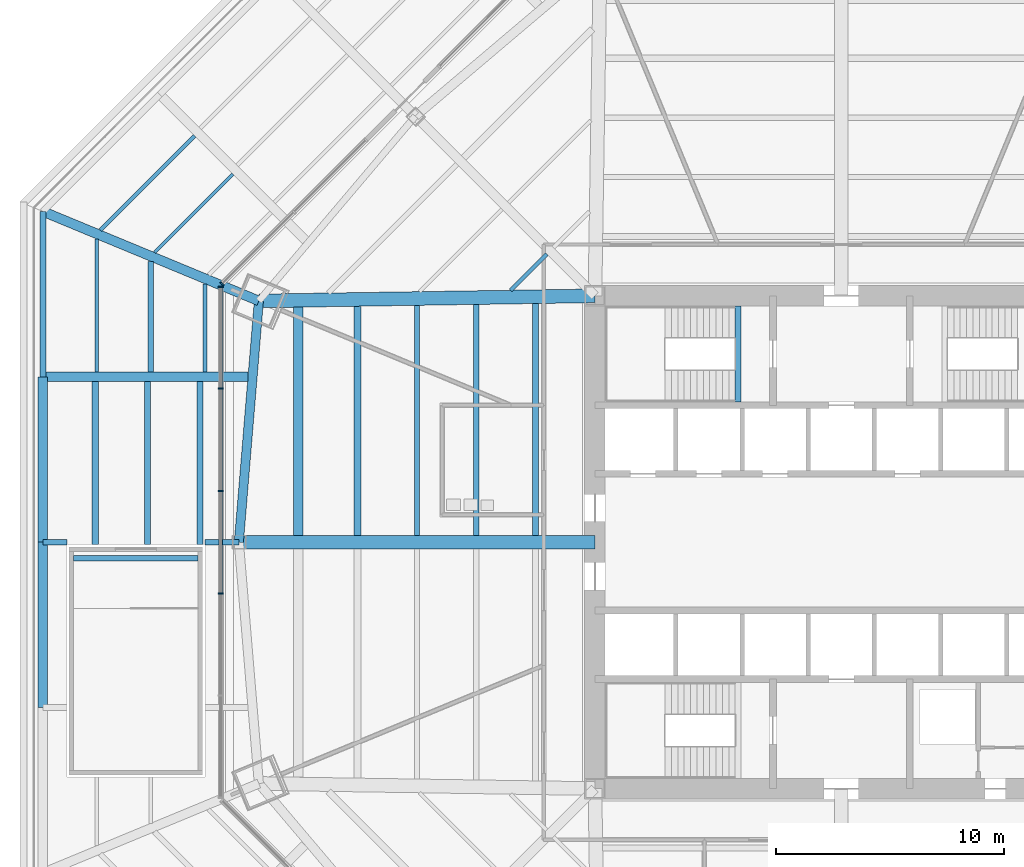
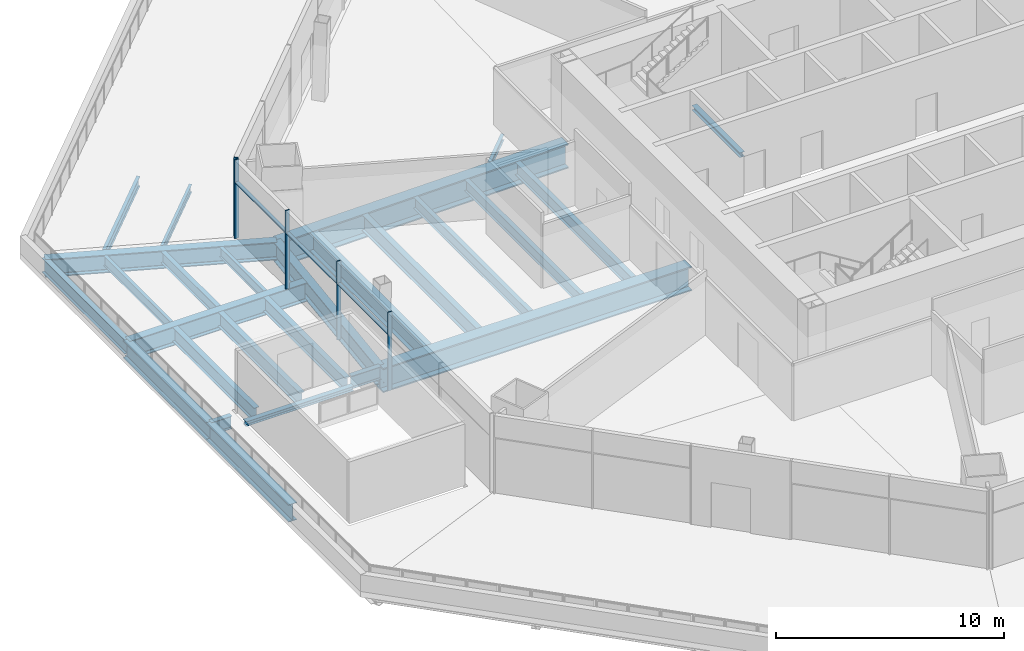
# One storey, part 7 of 25: 24 beams, 10 members, 2 elements without a shape of their own.
"""IFC4 building model written with IfcOpenShell, lengths in metres."""

from ifc_helpers import new_model, si_unit, direction, frame, origin, origin_2d, place, context, subcontext, project, spatial, rectangle, i_section, extrude, source, transform, mapped, material, material_profile, profile_set, type_object, type_shapes, element, aggregate, save


model = new_model("IFC4")

# Units and contexts
model_context = context("Model", 3, precision=1e-05, world=origin(), true_north=direction((0.0, 1.0)))
body_context = subcontext(model_context, "Body", "Model", "MODEL_VIEW")
ifc_project = project(units=[si_unit("LENGTHUNIT", "METRE"), si_unit("AREAUNIT", "SQUARE_METRE"), si_unit("VOLUMEUNIT", "CUBIC_METRE"), si_unit("PLANEANGLEUNIT", "RADIAN"), si_unit("MASSUNIT", "GRAM", prefix="KILO")], contexts=[model_context])

# Site, building, storey
site_placement = place(None, origin())
site = spatial("IfcSite", under=ifc_project, at=site_placement, CompositionType="ELEMENT")
building_placement = place(site_placement, origin())
building = spatial("IfcBuilding", under=site, at=building_placement, Name="Mashrafa Tower", CompositionType="ELEMENT")
storey_placement = place(building_placement, frame((0.0, 0.0, 28.800048828125)))
storey = spatial("IfcBuildingStorey", under=building, at=storey_placement, Name="L05", CompositionType="ELEMENT", Elevation=28.800048828125)

# Beams
ifc_material_1 = material(Name="Steel ASTM A572 Gr 50", Category="steel")
ifc_material_profile_1 = material_profile(ifc_material_1, i_section(OverallWidth=0.60009765625, OverallDepth=1.300048828125, WebThickness=0.028076171875, FlangeThickness=0.06494140625, at=origin_2d()), Name="H1300X600X28X65")
ifc_profile_set_1 = profile_set([ifc_material_profile_1], Name="Steel ASTM A572 Gr 50")
beam_type_1 = type_object("IfcBeamType", Name="Beam H1300X600X28X65", PredefinedType="BEAM", material=ifc_profile_set_1)
beam_1_placement = place(storey_placement, frame((-10.800048828125, 0.0, -0.949951171875), z_axis=(-1.0, 0.0, 0.0), x_axis=(0.0, -1.0, 0.0)))
element("IfcBeam", 1, at=beam_1_placement, inside=storey, type_object=beam_type_1, Name="Radial girder L05 236", PredefinedType="BEAM", context=body_context, shape_type="SweptSolid", body=[
    extrude(i_section(OverallWidth=0.60009765625, OverallDepth=1.300048828125, WebThickness=0.028076171875, FlangeThickness=0.06494140625, at=origin_2d()), origin(), (0.0, 0.0, 1.0), 15.6083984375),
])
beam_2_placement = place(storey_placement, frame((-10.800048828125, 10.800048828125, -0.949951171875), z_axis=(-0.99988326068, -0.015279561885, 0.0), x_axis=(0.015279561885, -0.99988326068, 0.0)))
element("IfcBeam", 2, at=beam_2_placement, inside=storey, type_object=beam_type_1, Name="Radial girder L05 237", PredefinedType="BEAM", context=body_context, shape_type="SweptSolid", body=[
    extrude(i_section(OverallWidth=0.60009765625, OverallDepth=1.300048828125, WebThickness=0.028076171875, FlangeThickness=0.06494140625, at=origin_2d()), origin(), (0.0, 0.0, 1.0), 14.73193359375),
])
ifc_material_2 = material(Name="Steel ASTM A992", Category="steel")
ifc_material_profile_2 = material_profile(ifc_material_2, i_section(OverallWidth=0.164794921875, OverallDepth=0.309814453125, WebThickness=0.005859375, FlangeThickness=0.009765625, FilletRadius=0.007568359375, at=origin_2d()), Name="W12X26")
ifc_profile_set_2 = profile_set([ifc_material_profile_2], Name="Steel ASTM A992")
beam_type_2 = type_object("IfcBeamType", Name="Beam W12X26", PredefinedType="BEAM", material=ifc_profile_set_2)
beam_3_placement = place(storey_placement, frame((-14.4931640625, 11.043701171875, -0.455078125), z_axis=(0.707106781187, 0.707106781187, 0.0), x_axis=(-0.707106781187, 0.707106781187, 0.0)))
element("IfcBeam", 3, at=beam_3_placement, inside=storey, type_object=beam_type_2, Name="Floor beam L05 040", PredefinedType="BEAM", context=body_context, shape_type="SweptSolid", body=[
    extrude(i_section(OverallWidth=0.164794921875, OverallDepth=0.309814453125, WebThickness=0.005859375, FlangeThickness=0.009765625, FilletRadius=0.007568359375, at=origin_2d()), origin(), (0.0, 0.0, 1.0), 2.234619140625),
])
ifc_material_3 = material(Name="Steel ASTM A992", Category="steel")
ifc_material_profile_3 = material_profile(ifc_material_3, i_section(OverallWidth=0.140380859375, OverallDepth=0.40380859375, WebThickness=0.007080078125, FlangeThickness=0.01123046875, FilletRadius=0.01025390625, at=origin_2d()), Name="W16X31")
ifc_profile_set_3 = profile_set([ifc_material_profile_3], Name="Steel ASTM A992")
beam_type_3 = type_object("IfcBeamType", Name="Beam W16X31", PredefinedType="BEAM", material=ifc_profile_set_3)
beam_4_placement = place(storey_placement, frame((-30.102783203125, 12.698486328125, -0.501953125), z_axis=(0.707106781187, 0.707106781187, 0.0), x_axis=(-0.707106781187, 0.707106781187, 0.0)))
element("IfcBeam", 4, at=beam_4_placement, inside=storey, type_object=beam_type_3, Name="Floor beam L05 008", PredefinedType="BEAM", context=body_context, shape_type="SweptSolid", body=[
    extrude(i_section(OverallWidth=0.140380859375, OverallDepth=0.40380859375, WebThickness=0.007080078125, FlangeThickness=0.01123046875, FilletRadius=0.01025390625, at=origin_2d()), origin(), (0.0, 0.0, 1.0), 4.857177734375),
])
ifc_material_4 = material(Name="Steel ASTM A992", Category="steel")
ifc_material_profile_4 = material_profile(ifc_material_4, i_section(OverallWidth=0.1650390625, OverallDepth=0.52587890625, WebThickness=0.0087890625, FlangeThickness=0.011474609375, FilletRadius=0.0126953125, at=origin_2d()), Name="W21X44")
ifc_profile_set_4 = profile_set([ifc_material_profile_4], Name="Steel ASTM A992")
beam_type_4 = type_object("IfcBeamType", Name="Beam W21X44", PredefinedType="BEAM", material=ifc_profile_set_4)
for number, where, z_axis, x_axis, name in (
    (5, (-32.632568359375, 7.449462890625, -0.56298828125), (0.0, 1.0, 0.0), (-1.0, 0.0, 0.0), "Floor beam L05 003"),
    (6, (-32.47021484375, 13.67919921875, -0.56298828125), (0.707106781187, 0.707106781187, 0.0), (-0.707106781187, 0.707106781187, 0.0), "Floor beam L05 004"),
):
    element("IfcBeam", number, at=place(storey_placement, frame(where, z_axis=z_axis, x_axis=x_axis)), inside=storey, type_object=beam_type_4, Name=name, PredefinedType="BEAM", context=body_context, shape_type="SweptSolid", body=[
        extrude(i_section(OverallWidth=0.1650390625, OverallDepth=0.52587890625, WebThickness=0.0087890625, FlangeThickness=0.011474609375, FilletRadius=0.0126953125, at=origin_2d()), origin(), (0.0, 0.0, 1.0), 5.837890625),
    ])
ifc_material_5 = material(Name="Steel ASTM A992", Category="steel")
ifc_material_profile_5 = material_profile(ifc_material_5, i_section(OverallWidth=0.165771484375, OverallDepth=0.5283203125, WebThickness=0.009765625, FlangeThickness=0.013671875, FilletRadius=0.012939453125, at=origin_2d()), Name="W21X50")
ifc_profile_set_5 = profile_set([ifc_material_profile_5], Name="Steel ASTM A992")
beam_type_5 = type_object("IfcBeamType", Name="Beam W21X50", PredefinedType="BEAM", material=ifc_profile_set_5)
beam_5_placement = place(storey_placement, frame((-27.897705078125, 7.449462890625, -0.564208984375), z_axis=(0.0, 1.0, 0.0), x_axis=(-1.0, 0.0, 0.0)))
element("IfcBeam", 7, at=beam_5_placement, inside=storey, type_object=beam_type_5, Name="Floor beam L05 012", PredefinedType="BEAM", context=body_context, shape_type="SweptSolid", body=[
    extrude(i_section(OverallWidth=0.165771484375, OverallDepth=0.5283203125, WebThickness=0.009765625, FlangeThickness=0.013671875, FilletRadius=0.012939453125, at=origin_2d()), origin(), (0.0, 0.0, 1.0), 3.87646484375),
])
ifc_material_6 = material(Name="Steel ASTM A992", Category="steel")
ifc_material_profile_6 = material_profile(ifc_material_6, i_section(OverallWidth=0.227783203125, OverallDepth=0.60205078125, WebThickness=0.010498046875, FlangeThickness=0.014892578125, FilletRadius=0.012939453125, at=origin_2d()), Name="W24X68")
ifc_profile_set_6 = profile_set([ifc_material_profile_6], Name="Steel ASTM A992")
beam_type_6 = type_object("IfcBeamType", Name="Beam W24X68", PredefinedType="BEAM", material=ifc_profile_set_6)
beam_6_placement = place(storey_placement, frame((-30.26513671875, 7.449462890625, -0.60107421875), z_axis=(0.0, 1.0, 0.0), x_axis=(-1.0, 0.0, 0.0)))
element("IfcBeam", 8, at=beam_6_placement, inside=storey, type_object=beam_type_6, Name="Floor beam L05 007", PredefinedType="BEAM", context=body_context, shape_type="SweptSolid", body=[
    extrude(i_section(OverallWidth=0.227783203125, OverallDepth=0.60205078125, WebThickness=0.010498046875, FlangeThickness=0.014892578125, FilletRadius=0.012939453125, at=origin_2d()), origin(), (0.0, 0.0, 1.0), 4.857177734375),
])
beam_7_placement = place(storey_placement, frame((-18.604248046875, 0.300048828125, -0.60107421875), z_axis=(0.0, 1.0, 0.0), x_axis=(-1.0, 0.0, 0.0)))
element("IfcBeam", 9, at=beam_7_placement, inside=storey, type_object=beam_type_6, Name="Floor beam L05 031", PredefinedType="BEAM", context=body_context, shape_type="SweptSolid", body=[
    extrude(i_section(OverallWidth=0.227783203125, OverallDepth=0.60205078125, WebThickness=0.010498046875, FlangeThickness=0.014892578125, FilletRadius=0.012939453125, at=origin_2d()), origin(), (0.0, 0.0, 1.0), 10.080810546875),
])
beam_8_placement = place(storey_placement, frame((-16.002685546875, 0.300048828125, -0.60107421875), z_axis=(0.0, 1.0, 0.0), x_axis=(-1.0, 0.0, 0.0)))
element("IfcBeam", 10, at=beam_8_placement, inside=storey, type_object=beam_type_6, Name="Floor beam L05 039", PredefinedType="BEAM", context=body_context, shape_type="SweptSolid", body=[
    extrude(i_section(OverallWidth=0.227783203125, OverallDepth=0.60205078125, WebThickness=0.010498046875, FlangeThickness=0.014892578125, FilletRadius=0.012939453125, at=origin_2d()), origin(), (0.0, 0.0, 1.0), 10.120361328125),
])
ifc_material_7 = material(Name="Steel ASTM A992", Category="steel")
ifc_material_profile_7 = material_profile(ifc_material_7, i_section(OverallWidth=0.25390625, OverallDepth=0.67822265625, WebThickness=0.01171875, FlangeThickness=0.016357421875, FilletRadius=0.01513671875, at=origin_2d()), Name="W27X84")
ifc_profile_set_7 = profile_set([ifc_material_profile_7], Name="Steel ASTM A992")
beam_type_7 = type_object("IfcBeamType", Name="Beam W27X84", PredefinedType="BEAM", material=ifc_profile_set_7)
beam_9_placement = place(storey_placement, frame((-13.4013671875, 0.300048828125, -0.63916015625), z_axis=(0.0, 1.0, 0.0), x_axis=(-1.0, 0.0, 0.0)))
element("IfcBeam", 11, at=beam_9_placement, inside=storey, type_object=beam_type_7, Name="Floor beam L05 048", PredefinedType="BEAM", context=body_context, shape_type="SweptSolid", body=[
    extrude(i_section(OverallWidth=0.25390625, OverallDepth=0.67822265625, WebThickness=0.01171875, FlangeThickness=0.016357421875, FilletRadius=0.01513671875, at=origin_2d()), origin(), (0.0, 0.0, 1.0), 10.16015625),
])
ifc_material_8 = material(Name="Steel ASTM A992", Category="steel")
ifc_material_profile_8 = material_profile(ifc_material_8, i_section(OverallWidth=0.2666015625, OverallDepth=0.761962890625, WebThickness=0.014404296875, FlangeThickness=0.021484375, FilletRadius=0.0166015625, at=origin_2d()), Name="W30X116")
ifc_profile_set_8 = profile_set([ifc_material_profile_8], Name="Steel ASTM A992")
beam_type_8 = type_object("IfcBeamType", Name="Beam W30X116", PredefinedType="BEAM", material=ifc_profile_set_8)
beam_10_placement = place(storey_placement, frame((-35.0, 14.49755859375, -0.68115234375), z_axis=(0.0, -1.0, 0.0), x_axis=(1.0, 0.0, 0.0)))
element("IfcBeam", 12, at=beam_10_placement, inside=storey, type_object=beam_type_8, Name="Podium edge beam L05 149", PredefinedType="BEAM", context=body_context, shape_type="SweptSolid", body=[
    extrude(i_section(OverallWidth=0.2666015625, OverallDepth=0.761962890625, WebThickness=0.014404296875, FlangeThickness=0.021484375, FilletRadius=0.0166015625, at=origin_2d()), origin(), (0.0, 0.0, 1.0), 7.248779296875),
])
ifc_material_9 = material(Name="Steel ASTM A992", Category="steel")
ifc_material_profile_9 = material_profile(ifc_material_9, i_section(OverallWidth=0.2666015625, OverallDepth=0.75439453125, WebThickness=0.01318359375, FlangeThickness=0.01708984375, FilletRadius=0.0166015625, at=origin_2d()), Name="W30X99")
ifc_profile_set_9 = profile_set([ifc_material_profile_9], Name="Steel ASTM A992")
beam_type_9 = type_object("IfcBeamType", Name="Beam W30X99", PredefinedType="BEAM", material=ifc_profile_set_9)
for number, where, z_axis, x_axis, name in (
    (13, (-32.70166015625, -0.10009765625, -0.67724609375), (0.0, 1.0, 0.0), (-1.0, 0.0, 0.0), "Floor beam L05 001"),
    (14, (-30.4033203125, -0.10009765625, -0.67724609375), (0.0, 1.0, 0.0), (-1.0, 0.0, 0.0), "Floor beam L05 005"),
    (15, (-28.10498046875, -0.10009765625, -0.67724609375), (0.0, 1.0, 0.0), (-1.0, 0.0, 0.0), "Floor beam L05 011"),
):
    element("IfcBeam", number, at=place(storey_placement, frame(where, z_axis=z_axis, x_axis=x_axis)), inside=storey, type_object=beam_type_9, Name=name, PredefinedType="BEAM", context=body_context, shape_type="SweptSolid", body=[
        extrude(i_section(OverallWidth=0.2666015625, OverallDepth=0.75439453125, WebThickness=0.01318359375, FlangeThickness=0.01708984375, FilletRadius=0.0166015625, at=origin_2d()), origin(), (0.0, 0.0, 1.0), 7.148193359375),
    ])
ifc_material_10 = material(Name="Steel ASTM A992", Category="steel")
ifc_material_profile_10 = material_profile(ifc_material_10, i_section(OverallWidth=0.2919921875, OverallDepth=0.845703125, WebThickness=0.015380859375, FlangeThickness=0.0244140625, FilletRadius=0.017333984375, at=origin_2d()), Name="W33X141")
ifc_profile_set_10 = profile_set([ifc_material_profile_10], Name="Steel ASTM A992")
beam_type_10 = type_object("IfcBeamType", Name="Beam W33X141", PredefinedType="BEAM", material=ifc_profile_set_10)
beam_11_placement = place(storey_placement, frame((-21.205810546875, 0.300048828125, -0.722900390625), z_axis=(0.0, 1.0, 0.0), x_axis=(-1.0, 0.0, 0.0)))
element("IfcBeam", 16, at=beam_11_placement, inside=storey, type_object=beam_type_10, Name="Floor beam L05 026", PredefinedType="BEAM", context=body_context, shape_type="SweptSolid", body=[
    extrude(i_section(OverallWidth=0.2919921875, OverallDepth=0.845703125, WebThickness=0.015380859375, FlangeThickness=0.0244140625, FilletRadius=0.017333984375, at=origin_2d()), origin(), (0.0, 0.0, 1.0), 10.041015625),
])
ifc_material_11 = material(Name="Steel ASTM A992", Category="steel")
ifc_material_profile_11 = material_profile(ifc_material_11, i_section(OverallWidth=0.419189453125, OverallDepth=0.927001953125, WebThickness=0.019287109375, FlangeThickness=0.031982421875, FilletRadius=0.020263671875, at=origin_2d()), Name="W36X231")
ifc_profile_set_11 = profile_set([ifc_material_profile_11], Name="Steel ASTM A992")
beam_type_11 = type_object("IfcBeamType", Name="Beam W36X231", PredefinedType="BEAM", material=ifc_profile_set_11)
for number, where, z_axis, x_axis, name in (
    (17, (-35.0, 0.0, -0.763671875), (0.0, -1.0, 0.0), (1.0, 0.0, 0.0), "Podium edge beam L05 147"),
    (18, (-35.0, 7.248779296875, -0.763671875), (0.0, -1.0, 0.0), (1.0, 0.0, 0.0), "Podium edge beam L05 148"),
):
    element("IfcBeam", number, at=place(storey_placement, frame(where, z_axis=z_axis, x_axis=x_axis)), inside=storey, type_object=beam_type_11, Name=name, PredefinedType="BEAM", context=body_context, shape_type="SweptSolid", body=[
        extrude(i_section(OverallWidth=0.419189453125, OverallDepth=0.927001953125, WebThickness=0.019287109375, FlangeThickness=0.031982421875, FilletRadius=0.020263671875, at=origin_2d()), origin(), (0.0, 0.0, 1.0), 7.248779296875),
    ])
ifc_material_12 = material(Name="Steel ASTM A992", Category="steel")
ifc_material_profile_12 = material_profile(ifc_material_12, i_section(OverallWidth=0.424072265625, OverallDepth=0.960205078125, WebThickness=0.028564453125, FlangeThickness=0.051025390625, FilletRadius=0.02001953125, at=origin_2d()), Name="W36X361")
ifc_profile_set_12 = profile_set([ifc_material_profile_12], Name="Steel ASTM A992")
beam_type_12 = type_object("IfcBeamType", Name="Beam W36X361", PredefinedType="BEAM", material=ifc_profile_set_12)
beam_12_placement = place(storey_placement, frame((-25.5302734375, 10.574951171875, -0.780029296875), z_axis=(-0.92387545374, 0.382693279242, 0.0), x_axis=(-0.382693279242, -0.92387545374, 0.0)))
element("IfcBeam", 19, at=beam_12_placement, inside=storey, type_object=beam_type_12, Name="Podium radial beam L05 183", PredefinedType="BEAM", context=body_context, shape_type="SweptSolid", body=[
    extrude(i_section(OverallWidth=0.424072265625, OverallDepth=0.960205078125, WebThickness=0.028564453125, FlangeThickness=0.051025390625, FilletRadius=0.02001953125, at=origin_2d()), origin(), (0.0, 0.0, 1.0), 10.25),
])
ifc_material_13 = material(Name="Steel ASTM A992", Category="steel")
ifc_material_profile_13 = material_profile(ifc_material_13, i_section(OverallWidth=0.4013671875, OverallDepth=0.98291015625, WebThickness=0.0166015625, FlangeThickness=0.027099609375, FilletRadius=0.0126953125, at=origin_2d()), Name="W40X199")
ifc_profile_set_13 = profile_set([ifc_material_profile_13], Name="Steel ASTM A992")
beam_type_13 = type_object("IfcBeamType", Name="Beam W40X199", PredefinedType="BEAM", material=ifc_profile_set_13)
beam_13_placement = place(storey_placement, frame((-23.80712890625, 0.300048828125, -0.79150390625), z_axis=(0.0, 1.0, 0.0), x_axis=(-1.0, 0.0, 0.0)))
element("IfcBeam", 20, at=beam_13_placement, inside=storey, type_object=beam_type_13, Name="Floor beam L05 019", PredefinedType="BEAM", context=body_context, shape_type="SweptSolid", body=[
    extrude(i_section(OverallWidth=0.4013671875, OverallDepth=0.98291015625, WebThickness=0.0166015625, FlangeThickness=0.027099609375, FilletRadius=0.0126953125, at=origin_2d()), origin(), (0.0, 0.0, 1.0), 10.001220703125),
])
ifc_material_14 = material(Name="Steel ASTM A992", Category="steel")
ifc_material_profile_14 = material_profile(ifc_material_14, i_section(OverallWidth=0.4013671875, OverallDepth=1.010986328125, WebThickness=0.023681640625, FlangeThickness=0.0419921875, FilletRadius=0.02001953125, at=origin_2d()), Name="W40X297")
ifc_profile_set_14 = profile_set([ifc_material_profile_14], Name="Steel ASTM A992")
beam_type_14 = type_object("IfcBeamType", Name="Beam W40X297", PredefinedType="BEAM", material=ifc_profile_set_14)
beam_14_placement = place(storey_placement, frame((-26.0078125, 7.248779296875, -0.805419921875), z_axis=(-1.0, 0.0, 0.0), x_axis=(0.0, -1.0, 0.0)))
element("IfcBeam", 21, at=beam_14_placement, inside=storey, type_object=beam_type_14, Name="Podium radial beam L05 181", PredefinedType="BEAM", context=body_context, shape_type="SweptSolid", body=[
    extrude(i_section(OverallWidth=0.4013671875, OverallDepth=1.010986328125, WebThickness=0.023681640625, FlangeThickness=0.0419921875, FilletRadius=0.02001953125, at=origin_2d()), origin(), (0.0, 0.0, 1.0), 8.9921875),
])
beam_15_placement = place(storey_placement, frame((-25.5302734375, 10.574951171875, -0.805419921875), z_axis=(-0.082757962037, -0.996569676299, 0.0), x_axis=(0.996569676299, -0.082757962037, 0.0)))
element("IfcBeam", 22, at=beam_15_placement, inside=storey, type_object=beam_type_14, Name="Podium ring girder L05 219", PredefinedType="BEAM", context=body_context, shape_type="SweptSolid", body=[
    extrude(i_section(OverallWidth=0.4013671875, OverallDepth=1.010986328125, WebThickness=0.023681640625, FlangeThickness=0.0419921875, FilletRadius=0.02001953125, at=origin_2d()), origin(), (0.0, 0.0, 1.0), 10.611328125),
])
ifc_material_15 = material(Name="Steel ASTM A992", Category="steel")
ifc_material_profile_15 = material_profile(ifc_material_15, i_section(OverallWidth=0.25390625, OverallDepth=0.25390625, WebThickness=0.008544921875, FlangeThickness=0.01416015625, FilletRadius=0.010009765625, at=origin_2d()), Name="W10X49")
ifc_profile_set_15 = profile_set([ifc_material_profile_15], Name="Steel ASTM A992")
beam_type_15 = type_object("IfcBeamType", Name="Hoistway beam W10X49", PredefinedType="BEAM", material=ifc_profile_set_15)
beam_16_placement = place(storey_placement, frame((-4.530029296875, 6.14990234375, -0.427001953125), z_axis=(0.0, 1.0, 0.0), x_axis=(-1.0, 0.0, 0.0)))
element("IfcBeam", 23, at=beam_16_placement, inside=storey, type_object=beam_type_15, Name="Stair S1 landing beam L05", PredefinedType="BEAM", context=body_context, shape_type="SweptSolid", body=[
    extrude(i_section(OverallWidth=0.25390625, OverallDepth=0.25390625, WebThickness=0.008544921875, FlangeThickness=0.01416015625, FilletRadius=0.010009765625, at=origin_2d()), origin(), (0.0, 0.0, 1.0), 4.2001953125),
])
beam_17_placement = place(storey_placement, frame((-33.64990234375, -0.699951171875, -0.427001953125), z_axis=(1.0, 0.0, 0.0), x_axis=(0.0, 1.0, 0.0)))
element("IfcBeam", 24, at=beam_17_placement, inside=storey, type_object=beam_type_15, Name="Stair P3 landing beam L05", PredefinedType="BEAM", context=body_context, shape_type="SweptSolid", body=[
    extrude(i_section(OverallWidth=0.25390625, OverallDepth=0.25390625, WebThickness=0.008544921875, FlangeThickness=0.01416015625, FilletRadius=0.010009765625, at=origin_2d()), origin(), (0.0, 0.0, 1.0), 5.449951171875),
])

# Members
ifc_material_16 = material(Name="Steel ASTM A992", Category="steel")
ifc_material_profile_16 = material_profile(ifc_material_16, i_section(OverallWidth=0.25390625, OverallDepth=0.683349609375, WebThickness=0.012451171875, FlangeThickness=0.01904296875, FilletRadius=0.01513671875, at=origin_2d()), Name="W27X94")
ifc_profile_set_16 = profile_set([ifc_material_profile_16], Name="Steel ASTM A992")
member_type_1 = type_object("IfcMemberType", Name="Tie strut W27X94", PredefinedType="STRUT", material=ifc_profile_set_16)
shared_shape_1 = source(origin(), body_context, "Body", "SweptSolid", [
    extrude(i_section(OverallWidth=0.25390625, OverallDepth=0.683349609375, WebThickness=0.012451171875, FlangeThickness=0.01904296875, FilletRadius=0.01513671875, at=origin_2d()), origin(), (0.0, 0.0, 1.0), 1.050048828125),
])
member_1_placement = place(storey_placement, frame((-33.949951171875, 0.0, -0.6416015625), z_axis=(-1.0, 0.0, 0.0), x_axis=(0.0, -1.0, 0.0)))
element("IfcMember", 25, at=member_1_placement, inside=storey, type_object=member_type_1, Name="Tie strut L05 178", PredefinedType="STRUT", context=body_context, shape_type="MappedRepresentation", body=[
    mapped(shared_shape_1, transform((0.0, 0.0, 0.0))),
])
shared_shape_2 = source(origin(), body_context, "Body", "SweptSolid", [
    extrude(i_section(OverallWidth=0.25390625, OverallDepth=0.683349609375, WebThickness=0.012451171875, FlangeThickness=0.01904296875, FilletRadius=0.01513671875, at=origin_2d()), origin(), (0.0, 0.0, 1.0), 1.491455078125),
])
type_shapes(member_type_1, [shared_shape_1, shared_shape_2])
member_2_placement = place(storey_placement, frame((-26.408447265625, 0.0, -0.6416015625), z_axis=(-1.0, 0.0, 0.0), x_axis=(0.0, -1.0, 0.0)))
element("IfcMember", 26, at=member_2_placement, inside=storey, type_object=member_type_1, Name="Tie strut L05 179", PredefinedType="STRUT", context=body_context, shape_type="MappedRepresentation", body=[
    mapped(shared_shape_2, transform((0.0, 0.0, 0.0))),
])

# Curtain wall, member
ifc_material_17 = material(Name="Unitised aluminium curtain wall", Category="aluminium")
curtain_wall_type = type_object("IfcCurtainWallType", Name="Office curtain wall, zone 1 CW-A 200 deep", PredefinedType="NOTDEFINED", material=ifc_material_17)
curtain_wall_1_placement = place(storey_placement, origin())
curtain_wall_1 = element("IfcCurtainWall", 27, at=curtain_wall_1_placement, inside=storey, type_object=curtain_wall_type, Name="Office curtain wall, zone 1 L05 north-west part 2", PredefinedType="NOTDEFINED")
ifc_material_18 = material(Name="Extruded aluminium mullion", Category="aluminium")
ifc_material_profile_17 = material_profile(ifc_material_18, rectangle(XDim=0.199951171875, YDim=0.06494140625, at=origin_2d()), Name="Mullion 65x200")
ifc_profile_set_17 = profile_set([ifc_material_profile_17], Name="Extruded aluminium mullion")
member_type_2 = type_object("IfcMemberType", Name="Mullion CW-A 65 x 200", PredefinedType="MULLION", material=ifc_profile_set_17)
shared_shape_3 = source(origin(), body_context, "Body", "SweptSolid", [
    extrude(rectangle(XDim=0.199951171875, YDim=0.06494140625, at=origin_2d()), origin(), (0.0, 0.0, 1.0), 4.199951171875),
])
type_shapes(member_type_2, [shared_shape_3])
member_3_placement = place(storey_placement, frame((-27.140625, 11.325927734375, 0.0), z_axis=(0.0, 0.0, 1.0), x_axis=(0.707106781187, -0.707106781187, 0.0)))
member_3 = element("IfcMember", 28, at=member_3_placement, type_object=member_type_2, Name="CW-A mullion 3", PredefinedType="MULLION", context=body_context, shape_type="MappedRepresentation", body=[
    mapped(shared_shape_3, transform((0.0, 0.0, 0.0))),
])
aggregate(curtain_wall_1, [member_3])

# Curtain wall, members
curtain_wall_2_placement = place(storey_placement, origin())
curtain_wall_2 = element("IfcCurtainWall", 29, at=curtain_wall_2_placement, inside=storey, type_object=curtain_wall_type, Name="Office curtain wall, zone 1 L05 west", PredefinedType="NOTDEFINED")
member_4_placement = place(storey_placement, frame((-27.199951171875, 11.1826171875, 0.0), z_axis=(0.0, 0.0, 1.0), x_axis=(1.0, 0.0, 0.0)))
member_4 = element("IfcMember", 30, at=member_4_placement, type_object=member_type_2, Name="CW-A mullion 1", PredefinedType="MULLION", context=body_context, shape_type="MappedRepresentation", body=[
    mapped(shared_shape_3, transform((0.0, 0.0, 0.0))),
])
member_5_placement = place(storey_placement, frame((-27.199951171875, 6.72900390625, 0.0), z_axis=(0.0, 0.0, 1.0), x_axis=(1.0, 0.0, 0.0)))
member_5 = element("IfcMember", 31, at=member_5_placement, type_object=member_type_2, Name="CW-A mullion 2", PredefinedType="MULLION", context=body_context, shape_type="MappedRepresentation", body=[
    mapped(shared_shape_3, transform((0.0, 0.0, 0.0))),
])
member_6_placement = place(storey_placement, frame((-27.199951171875, 2.242919921875, 0.0), z_axis=(0.0, 0.0, 1.0), x_axis=(1.0, 0.0, 0.0)))
member_6 = element("IfcMember", 32, at=member_6_placement, type_object=member_type_2, Name="CW-A mullion 3", PredefinedType="MULLION", context=body_context, shape_type="MappedRepresentation", body=[
    mapped(shared_shape_3, transform((0.0, 0.0, 0.0))),
])
member_7_placement = place(storey_placement, frame((-27.199951171875, -2.242919921875, 0.0), z_axis=(0.0, 0.0, 1.0), x_axis=(1.0, 0.0, 0.0)))
member_7 = element("IfcMember", 33, at=member_7_placement, type_object=member_type_2, Name="CW-A mullion 4", PredefinedType="MULLION", context=body_context, shape_type="MappedRepresentation", body=[
    mapped(shared_shape_3, transform((0.0, 0.0, 0.0))),
])
ifc_material_19 = material(Name="Extruded aluminium transom", Category="aluminium")
ifc_material_profile_18 = material_profile(ifc_material_19, rectangle(XDim=0.159912109375, YDim=0.080078125, at=origin_2d()), Name="Transom 80x160")
ifc_profile_set_18 = profile_set([ifc_material_profile_18], Name="Extruded aluminium transom")
member_type_3 = type_object("IfcMemberType", Name="Transom CW-A 80 x 160", PredefinedType="MULLION", material=ifc_profile_set_18)
shared_shape_4 = source(origin(), body_context, "Body", "SweptSolid", [
    extrude(rectangle(XDim=0.159912109375, YDim=0.080078125, at=origin_2d()), origin(), (0.0, 0.0, 1.0), 4.388427734375),
])
member_8_placement = place(storey_placement, frame((-27.199951171875, 11.150146484375, 3.0), z_axis=(0.0, -1.0, 0.0), x_axis=(1.0, 0.0, 0.0)))
member_8 = element("IfcMember", 34, at=member_8_placement, type_object=member_type_3, Name="CW-A transom 1", PredefinedType="MULLION", context=body_context, shape_type="MappedRepresentation", body=[
    mapped(shared_shape_4, transform((0.0, 0.0, 0.0))),
])
shared_shape_5 = source(origin(), body_context, "Body", "SweptSolid", [
    extrude(rectangle(XDim=0.159912109375, YDim=0.080078125, at=origin_2d()), origin(), (0.0, 0.0, 1.0), 4.4208984375),
])
type_shapes(member_type_3, [shared_shape_4, shared_shape_5])
member_9_placement = place(storey_placement, frame((-27.199951171875, 6.696533203125, 3.0), z_axis=(0.0, -1.0, 0.0), x_axis=(1.0, 0.0, 0.0)))
member_9 = element("IfcMember", 35, at=member_9_placement, type_object=member_type_3, Name="CW-A transom 2", PredefinedType="MULLION", context=body_context, shape_type="MappedRepresentation", body=[
    mapped(shared_shape_5, transform((0.0, 0.0, 0.0))),
])
member_10_placement = place(storey_placement, frame((-27.199951171875, 2.21044921875, 3.0), z_axis=(0.0, -1.0, 0.0), x_axis=(1.0, 0.0, 0.0)))
member_10 = element("IfcMember", 36, at=member_10_placement, type_object=member_type_3, Name="CW-A transom 3", PredefinedType="MULLION", context=body_context, shape_type="MappedRepresentation", body=[
    mapped(shared_shape_5, transform((0.0, 0.0, 0.0))),
])
aggregate(curtain_wall_2, [member_4, member_5, member_6, member_7, member_8, member_9, member_10])

save(model, "model.ifc")
